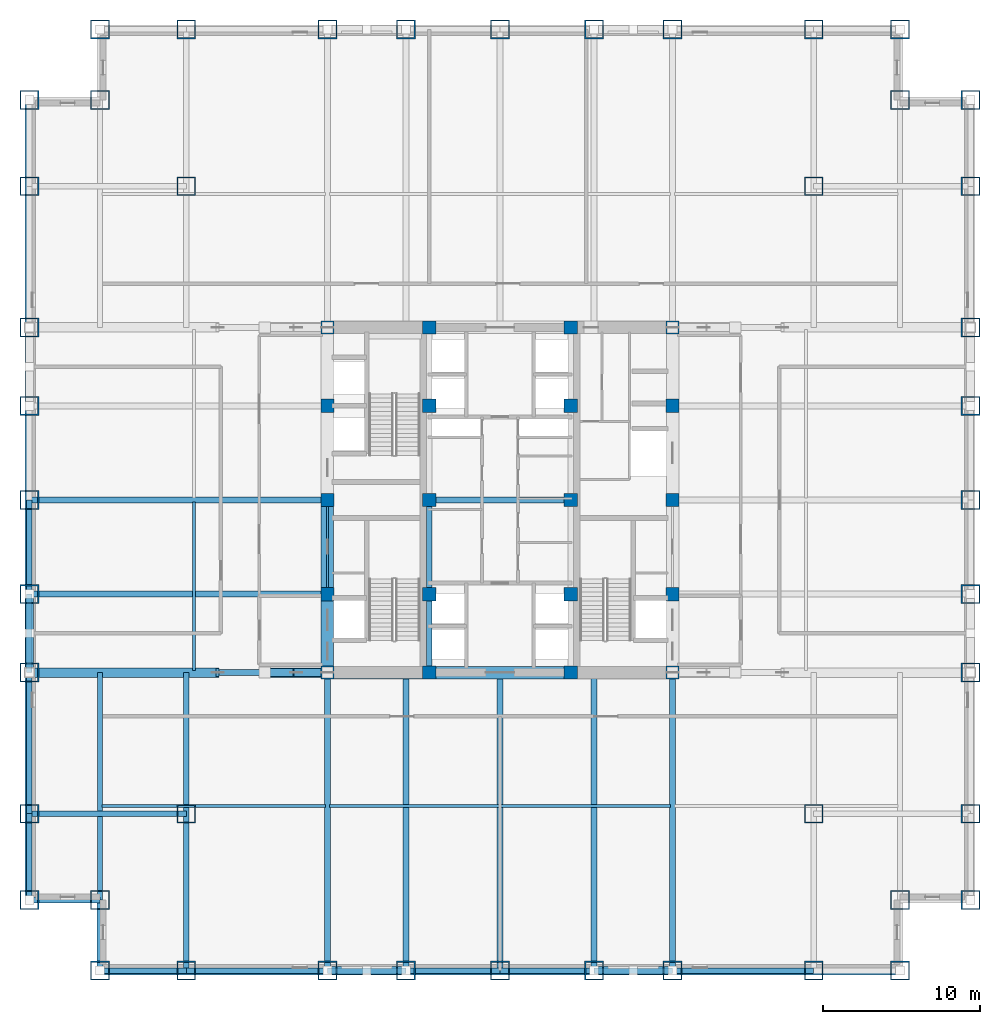
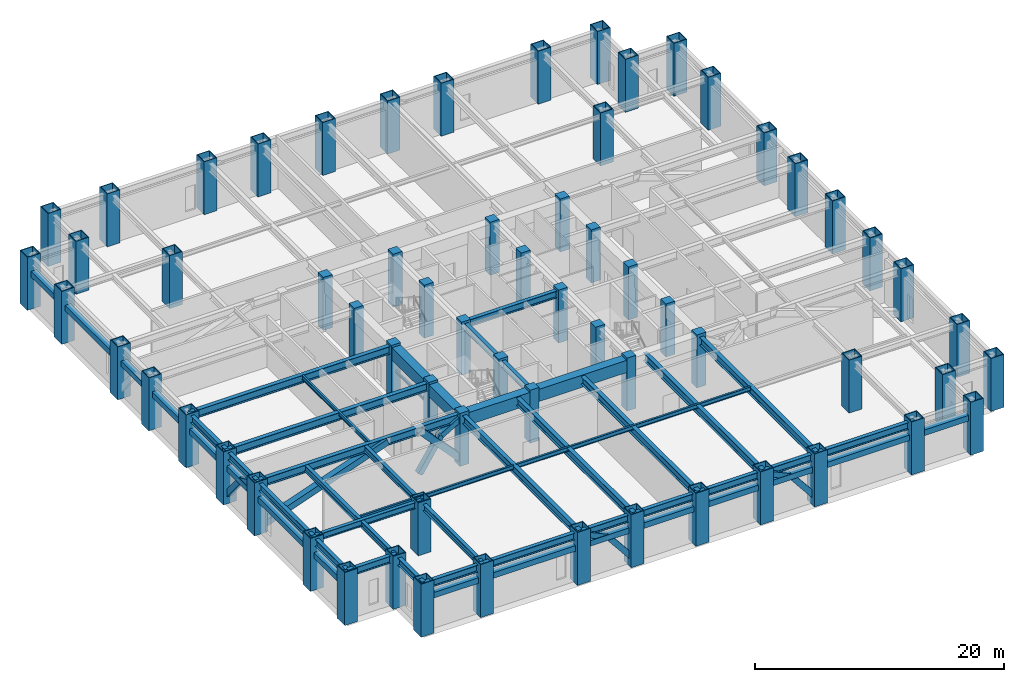
# One storey, part 1 of 12: 64 columns, 35 beams, 12 members.
"""IFC4 building model written with IfcOpenShell, lengths in metres."""

from ifc_helpers import new_model, si_unit, direction, frame, origin, origin_2d, place, context, subcontext, project, spatial, rectangle, hollow_rectangle, i_section, extrude, source, transform, mapped, material, material_profile, profile_set, type_object, element, save


model = new_model("IFC4")

# Units and contexts
model_context = context("Model", 3, precision=1e-05, world=origin(), true_north=direction((0.0, 1.0)))
body_context = subcontext(model_context, "Body", "Model", "MODEL_VIEW")
ifc_project = project(units=[si_unit("LENGTHUNIT", "METRE"), si_unit("AREAUNIT", "SQUARE_METRE"), si_unit("VOLUMEUNIT", "CUBIC_METRE"), si_unit("PLANEANGLEUNIT", "RADIAN"), si_unit("MASSUNIT", "GRAM", prefix="KILO")], contexts=[model_context])

# Site, building, storey
site_placement = place(None, origin())
site = spatial("IfcSite", under=ifc_project, at=site_placement, CompositionType="ELEMENT")
building_placement = place(site_placement, origin())
building = spatial("IfcBuilding", under=site, at=building_placement, Name="Khorayat Bourse Tower", CompositionType="ELEMENT")
storey_placement = place(building_placement, frame((0.0, 0.0, 149.89990234375)))
storey = spatial("IfcBuildingStorey", under=building, at=storey_placement, Name="L34", CompositionType="ELEMENT", Elevation=149.89990234375)

# Columns
ifc_material_1 = material(Name="Steel EN 10025-4 S460M", Category="steel")
ifc_material_profile_1 = material_profile(ifc_material_1, hollow_rectangle(XDim=1.199951171875, YDim=1.199951171875, WallThickness=0.070068359375, at=origin_2d()), Name="BOX 1200x1200x70")
ifc_profile_set_1 = profile_set([ifc_material_profile_1], Name="Steel EN 10025-4 S460M")
column_type_1 = type_object("IfcColumnType", Name="COL-TUBE-1200", PredefinedType="COLUMN", material=ifc_profile_set_1)
shared_shape_1 = source(origin(), body_context, "Body", "SweptSolid", [
    extrude(hollow_rectangle(XDim=1.199951171875, YDim=1.199951171875, WallThickness=0.070068359375, at=origin_2d()), origin(), (0.0, 0.0, 1.0), 5.2001953125),
])
for number, where, z_axis, x_axis, name in (
    (1, (-30.0, -25.5, 0.0), (0.0, 0.0, 1.0), (1.0, 0.0, 0.0), "L34 Column 001"),
    (2, (-30.0, -20.0, 0.0), (0.0, 0.0, 1.0), (1.0, 0.0, 0.0), "L34 Column 002"),
    (3, (-30.0, -11.0, 0.0), (0.0, 0.0, 1.0), (1.0, 0.0, 0.0), "L34 Column 003"),
    (4, (-30.0, -6.0, 0.0), (0.0, 0.0, 1.0), (1.0, 0.0, 0.0), "L34 Column 004"),
    (5, (-30.0, 0.0, 0.0), (0.0, 0.0, 1.0), (1.0, 0.0, 0.0), "L34 Column 005"),
    (6, (-30.0, 6.0, 0.0), (0.0, 0.0, 1.0), (1.0, 0.0, 0.0), "L34 Column 006"),
    (7, (-30.0, 11.0, 0.0), (0.0, 0.0, 1.0), (1.0, 0.0, 0.0), "L34 Column 007"),
    (8, (-30.0, 20.0, 0.0), (0.0, 0.0, 1.0), (1.0, 0.0, 0.0), "L34 Column 008"),
    (9, (-30.0, 25.5, 0.0), (0.0, 0.0, 1.0), (1.0, 0.0, 0.0), "L34 Column 009"),
    (10, (-25.5, -30.0, 0.0), (0.0, 0.0, 1.0), (1.0, 0.0, 0.0), "L34 Column 010"),
    (11, (-25.5, -25.5, 0.0), (0.0, 0.0, 1.0), (1.0, 0.0, 0.0), "L34 Column 011"),
    (12, (-25.5, 25.5, 0.0), (0.0, 0.0, 1.0), (1.0, 0.0, 0.0), "L34 Column 012"),
    (13, (-25.5, 30.0, 0.0), (0.0, 0.0, 1.0), (1.0, 0.0, 0.0), "L34 Column 013"),
    (14, (-20.0, -30.0, 0.0), (0.0, 0.0, 1.0), (1.0, 0.0, 0.0), "L34 Column 014"),
    (15, (-20.0, -20.0, 0.0), (0.0, 0.0, 1.0), (1.0, 0.0, 0.0), "L34 Column 015"),
    (16, (-20.0, 20.0, 0.0), (0.0, 0.0, 1.0), (1.0, 0.0, 0.0), "L34 Column 016"),
    (17, (-20.0, 30.0, 0.0), (0.0, 0.0, 1.0), (1.0, 0.0, 0.0), "L34 Column 017"),
    (18, (-11.0, -30.0, 0.0), (0.0, 0.0, 1.0), (1.0, 0.0, 0.0), "L34 Column 018"),
    (19, (-11.0, 30.0, 0.0), (0.0, 0.0, 1.0), (1.0, 0.0, 0.0), "L34 Column 024"),
    (20, (-6.0, -30.0, 0.0), (0.0, 0.0, 1.0), (1.0, 0.0, 0.0), "L34 Column 025"),
    (21, (-6.0, 30.0, 0.0), (0.0, 0.0, 1.0), (1.0, 0.0, 0.0), "L34 Column 026"),
    (22, (0.0, -30.0, 0.0), (0.0, 0.0, 1.0), (1.0, 0.0, 0.0), "L34 Column 032"),
    (23, (0.0, 30.0, 0.0), (0.0, 0.0, 1.0), (1.0, 0.0, 0.0), "L34 Column 033"),
    (24, (6.0, -30.0, 0.0), (0.0, 0.0, 1.0), (1.0, 0.0, 0.0), "L34 Column 039"),
    (25, (6.0, 30.0, 0.0), (0.0, 0.0, 1.0), (1.0, 0.0, 0.0), "L34 Column 040"),
    (26, (11.0, -30.0, 0.0), (0.0, 0.0, 1.0), (1.0, 0.0, 0.0), "L34 Column 041"),
    (27, (11.0, 30.0, 0.0), (0.0, 0.0, 1.0), (1.0, 0.0, 0.0), "L34 Column 047"),
    (28, (20.0, -30.0, 0.0), (0.0, 0.0, 1.0), (1.0, 0.0, 0.0), "L34 Column 048"),
    (29, (20.0, -20.0, 0.0), (0.0, 0.0, 1.0), (1.0, 0.0, 0.0), "L34 Column 049"),
    (30, (20.0, 20.0, 0.0), (0.0, 0.0, 1.0), (1.0, 0.0, 0.0), "L34 Column 050"),
    (31, (20.0, 30.0, 0.0), (0.0, 0.0, 1.0), (1.0, 0.0, 0.0), "L34 Column 051"),
    (32, (25.5, -30.0, 0.0), (0.0, 0.0, 1.0), (1.0, 0.0, 0.0), "L34 Column 052"),
    (33, (25.5, -25.5, 0.0), (0.0, 0.0, 1.0), (1.0, 0.0, 0.0), "L34 Column 053"),
    (34, (25.5, 25.5, 0.0), (0.0, 0.0, 1.0), (1.0, 0.0, 0.0), "L34 Column 054"),
    (35, (25.5, 30.0, 0.0), (0.0, 0.0, 1.0), (1.0, 0.0, 0.0), "L34 Column 055"),
    (36, (30.0, -25.5, 0.0), (0.0, 0.0, 1.0), (1.0, 0.0, 0.0), "L34 Column 056"),
    (37, (30.0, -20.0, 0.0), (0.0, 0.0, 1.0), (1.0, 0.0, 0.0), "L34 Column 057"),
    (38, (30.0, -11.0, 0.0), (0.0, 0.0, 1.0), (1.0, 0.0, 0.0), "L34 Column 058"),
    (39, (30.0, -6.0, 0.0), (0.0, 0.0, 1.0), (1.0, 0.0, 0.0), "L34 Column 059"),
    (40, (30.0, 0.0, 0.0), (0.0, 0.0, 1.0), (1.0, 0.0, 0.0), "L34 Column 060"),
    (41, (30.0, 6.0, 0.0), (0.0, 0.0, 1.0), (1.0, 0.0, 0.0), "L34 Column 061"),
    (42, (30.0, 11.0, 0.0), (0.0, 0.0, 1.0), (1.0, 0.0, 0.0), "L34 Column 062"),
    (43, (30.0, 20.0, 0.0), (0.0, 0.0, 1.0), (1.0, 0.0, 0.0), "L34 Column 063"),
    (44, (30.0, 25.5, 0.0), (0.0, 0.0, 1.0), (1.0, 0.0, 0.0), "L34 Column 064"),
):
    element("IfcColumn", number, at=place(storey_placement, frame(where, z_axis=z_axis, x_axis=x_axis)), inside=storey, type_object=column_type_1, Name=name, PredefinedType="COLUMN", context=body_context, shape_type="MappedRepresentation", body=[
        mapped(shared_shape_1, transform((0.0, 0.0, 0.0), scale=1.0)),
    ])
ifc_material_2 = material(Name="Concrete C60/75", Category="concrete")
ifc_material_profile_2 = material_profile(ifc_material_2, rectangle(XDim=0.85009765625, YDim=0.85009765625, at=origin_2d()), Name="RC 850x850")
ifc_profile_set_2 = profile_set([ifc_material_profile_2], Name="Concrete C60/75")
column_type_2 = type_object("IfcColumnType", Name="COL-CORE-850", PredefinedType="COLUMN", material=ifc_profile_set_2)
shared_shape_2 = source(origin(), body_context, "Body", "SweptSolid", [
    extrude(rectangle(XDim=0.85009765625, YDim=0.85009765625, at=origin_2d()), origin(), (0.0, 0.0, 1.0), 5.2001953125),
])
for number, where, z_axis, x_axis, name in (
    (45, (-11.0, -11.0, 0.0), (0.0, 0.0, 1.0), (1.0, 0.0, 0.0), "L34 Column 019"),
    (46, (-11.0, -6.0, 0.0), (0.0, 0.0, 1.0), (1.0, 0.0, 0.0), "L34 Column 020"),
    (47, (-11.0, 0.0, 0.0), (0.0, 0.0, 1.0), (1.0, 0.0, 0.0), "L34 Column 021"),
    (48, (-11.0, 6.0, 0.0), (0.0, 0.0, 1.0), (1.0, 0.0, 0.0), "L34 Column 022"),
    (49, (-11.0, 11.0, 0.0), (0.0, 0.0, 1.0), (1.0, 0.0, 0.0), "L34 Column 023"),
    (50, (-4.5, -11.0, 0.0), (0.0, 0.0, 1.0), (1.0, 0.0, 0.0), "L34 Column 027"),
    (51, (-4.5, -6.0, 0.0), (0.0, 0.0, 1.0), (1.0, 0.0, 0.0), "L34 Column 028"),
    (52, (-4.5, 0.0, 0.0), (0.0, 0.0, 1.0), (1.0, 0.0, 0.0), "L34 Column 029"),
    (53, (-4.5, 6.0, 0.0), (0.0, 0.0, 1.0), (1.0, 0.0, 0.0), "L34 Column 030"),
    (54, (-4.5, 11.0, 0.0), (0.0, 0.0, 1.0), (1.0, 0.0, 0.0), "L34 Column 031"),
    (55, (4.5, -11.0, 0.0), (0.0, 0.0, 1.0), (1.0, 0.0, 0.0), "L34 Column 034"),
    (56, (4.5, -6.0, 0.0), (0.0, 0.0, 1.0), (1.0, 0.0, 0.0), "L34 Column 035"),
    (57, (4.5, 0.0, 0.0), (0.0, 0.0, 1.0), (1.0, 0.0, 0.0), "L34 Column 036"),
    (58, (4.5, 6.0, 0.0), (0.0, 0.0, 1.0), (1.0, 0.0, 0.0), "L34 Column 037"),
    (59, (4.5, 11.0, 0.0), (0.0, 0.0, 1.0), (1.0, 0.0, 0.0), "L34 Column 038"),
    (60, (11.0, -11.0, 0.0), (0.0, 0.0, 1.0), (1.0, 0.0, 0.0), "L34 Column 042"),
    (61, (11.0, -6.0, 0.0), (0.0, 0.0, 1.0), (1.0, 0.0, 0.0), "L34 Column 043"),
    (62, (11.0, 0.0, 0.0), (0.0, 0.0, 1.0), (1.0, 0.0, 0.0), "L34 Column 044"),
    (63, (11.0, 6.0, 0.0), (0.0, 0.0, 1.0), (1.0, 0.0, 0.0), "L34 Column 045"),
    (64, (11.0, 11.0, 0.0), (0.0, 0.0, 1.0), (1.0, 0.0, 0.0), "L34 Column 046"),
):
    element("IfcColumn", number, at=place(storey_placement, frame(where, z_axis=z_axis, x_axis=x_axis)), inside=storey, type_object=column_type_2, Name=name, PredefinedType="COLUMN", context=body_context, shape_type="MappedRepresentation", body=[
        mapped(shared_shape_2, transform((0.0, 0.0, 0.0), scale=1.0)),
    ])

# Beams
ifc_material_3 = material(Name="Concrete C72/90", Category="concrete")
ifc_material_profile_3 = material_profile(ifc_material_3, rectangle(XDim=0.800048828125, YDim=1.199951171875, at=origin_2d()), Name="RC 800x1200")
ifc_profile_set_3 = profile_set([ifc_material_profile_3], Name="Concrete C72/90")
beam_type_1 = type_object("IfcBeamType", Name="BM-COUP-1200", PredefinedType="BEAM", material=ifc_profile_set_3)
shared_shape_3 = source(origin(), body_context, "Body", "SweptSolid", [
    extrude(rectangle(XDim=0.800048828125, YDim=1.199951171875, at=origin_2d()), origin(), (0.0, 0.0, 1.0), 5.0),
])
beam_1_placement = place(storey_placement, frame((-11.0, -11.0, 4.380126953125), z_axis=(0.0, 1.0, 0.0), x_axis=(-1.0, 0.0, 0.0)))
element("IfcBeam", 65, at=beam_1_placement, inside=storey, type_object=beam_type_1, Name="L34 BM-COUP-1200 BM-L34-CRX-01", PredefinedType="BEAM", context=body_context, shape_type="MappedRepresentation", body=[
    mapped(shared_shape_3, transform((0.0, 0.0, 0.0), scale=1.0)),
])
shared_shape_4 = source(origin(), body_context, "Body", "SweptSolid", [
    extrude(rectangle(XDim=0.800048828125, YDim=1.199951171875, at=origin_2d()), origin(), (0.0, 0.0, 1.0), 6.0),
])
beam_2_placement = place(storey_placement, frame((-11.0, -6.0, 4.380126953125), z_axis=(0.0, 1.0, 0.0), x_axis=(-1.0, 0.0, 0.0)))
element("IfcBeam", 66, at=beam_2_placement, inside=storey, type_object=beam_type_1, Name="L34 BM-COUP-1200 BM-L34-CRX-02", PredefinedType="BEAM", context=body_context, shape_type="MappedRepresentation", body=[
    mapped(shared_shape_4, transform((0.0, 0.0, 0.0), scale=1.0)),
])
ifc_material_4 = material(Name="Steel ASTM A992 Grade 50", Category="steel")
ifc_material_profile_4 = material_profile(ifc_material_4, i_section(OverallWidth=0.35498046875, OverallDepth=0.695068359375, WebThickness=0.015380859375, FlangeThickness=0.02490234375, FilletRadius=0.01806640625, at=origin_2d()), Name="W690X217")
ifc_profile_set_4 = profile_set([ifc_material_profile_4], Name="Steel ASTM A992 Grade 50")
beam_type_2 = type_object("IfcBeamType", Name="BM-GIRD-690", PredefinedType="BEAM", material=ifc_profile_set_4)
shared_shape_5 = source(origin(), body_context, "Body", "SweptSolid", [
    extrude(i_section(OverallWidth=0.35498046875, OverallDepth=0.695068359375, WebThickness=0.015380859375, FlangeThickness=0.02490234375, FilletRadius=0.01806640625, at=origin_2d()), origin(), (0.0, 0.0, 1.0), 5.0),
])
beam_3_placement = place(storey_placement, frame((-4.5, -11.0, 4.632568359375), z_axis=(0.0, 1.0, 0.0), x_axis=(-1.0, 0.0, 0.0)))
element("IfcBeam", 67, at=beam_3_placement, inside=storey, type_object=beam_type_2, Name="L34 BM-GIRD-690 BM-L34-CRX-05", PredefinedType="BEAM", context=body_context, shape_type="MappedRepresentation", body=[
    mapped(shared_shape_5, transform((0.0, 0.0, 0.0), scale=1.0)),
])
shared_shape_6 = source(origin(), body_context, "Body", "SweptSolid", [
    extrude(i_section(OverallWidth=0.35498046875, OverallDepth=0.695068359375, WebThickness=0.015380859375, FlangeThickness=0.02490234375, FilletRadius=0.01806640625, at=origin_2d()), origin(), (0.0, 0.0, 1.0), 6.0),
])
beam_4_placement = place(storey_placement, frame((-4.5, -6.0, 4.632568359375), z_axis=(0.0, 1.0, 0.0), x_axis=(-1.0, 0.0, 0.0)))
element("IfcBeam", 68, at=beam_4_placement, inside=storey, type_object=beam_type_2, Name="L34 BM-GIRD-690 BM-L34-CRX-06", PredefinedType="BEAM", context=body_context, shape_type="MappedRepresentation", body=[
    mapped(shared_shape_6, transform((0.0, 0.0, 0.0), scale=1.0)),
])
shared_shape_7 = source(origin(), body_context, "Body", "SweptSolid", [
    extrude(rectangle(XDim=0.800048828125, YDim=1.199951171875, at=origin_2d()), origin(), (0.0, 0.0, 1.0), 6.5),
])
beam_5_placement = place(storey_placement, frame((-11.0, -11.0, 4.380126953125), z_axis=(1.0, 0.0, 0.0), x_axis=(0.0, 1.0, 0.0)))
element("IfcBeam", 69, at=beam_5_placement, inside=storey, type_object=beam_type_1, Name="L34 BM-COUP-1200 BM-L34-CRY-17", PredefinedType="BEAM", context=body_context, shape_type="MappedRepresentation", body=[
    mapped(shared_shape_7, transform((0.0, 0.0, 0.0), scale=1.0)),
])
shared_shape_8 = source(origin(), body_context, "Body", "SweptSolid", [
    extrude(rectangle(XDim=0.800048828125, YDim=1.199951171875, at=origin_2d()), origin(), (0.0, 0.0, 1.0), 9.0),
])
beam_6_placement = place(storey_placement, frame((-4.5, -11.0, 4.380126953125), z_axis=(1.0, 0.0, 0.0), x_axis=(0.0, 1.0, 0.0)))
element("IfcBeam", 70, at=beam_6_placement, inside=storey, type_object=beam_type_1, Name="L34 BM-COUP-1200 BM-L34-CRY-18", PredefinedType="BEAM", context=body_context, shape_type="MappedRepresentation", body=[
    mapped(shared_shape_8, transform((0.0, 0.0, 0.0), scale=1.0)),
])
shared_shape_9 = source(origin(), body_context, "Body", "SweptSolid", [
    extrude(i_section(OverallWidth=0.35498046875, OverallDepth=0.695068359375, WebThickness=0.015380859375, FlangeThickness=0.02490234375, FilletRadius=0.01806640625, at=origin_2d()), origin(), (0.0, 0.0, 1.0), 9.0),
])
beam_7_placement = place(storey_placement, frame((-4.5, 0.0, 4.632568359375), z_axis=(1.0, 0.0, 0.0), x_axis=(0.0, 1.0, 0.0)))
element("IfcBeam", 71, at=beam_7_placement, inside=storey, type_object=beam_type_2, Name="L34 BM-GIRD-690 BM-L34-CRY-23", PredefinedType="BEAM", context=body_context, shape_type="MappedRepresentation", body=[
    mapped(shared_shape_9, transform((0.0, 0.0, 0.0), scale=1.0)),
])
ifc_material_profile_5 = material_profile(ifc_material_4, i_section(OverallWidth=0.35498046875, OverallDepth=0.695068359375, WebThickness=0.015380859375, FlangeThickness=0.02490234375, FilletRadius=0.01806640625, at=origin_2d()), Name="W690X217")
ifc_profile_set_5 = profile_set([ifc_material_profile_5], Name="Steel ASTM A992 Grade 50")
beam_type_3 = type_object("IfcBeamType", Name="BM-SPAN-690", PredefinedType="SPANDREL", material=ifc_profile_set_5)
shared_shape_10 = source(origin(), body_context, "Body", "SweptSolid", [
    extrude(i_section(OverallWidth=0.35498046875, OverallDepth=0.695068359375, WebThickness=0.015380859375, FlangeThickness=0.02490234375, FilletRadius=0.01806640625, at=origin_2d()), origin(), (0.0, 0.0, 1.0), 9.0),
])
for number, where, z_axis, x_axis, name in (
    (72, (-20.0, -30.0, 4.552490234375), (1.0, 0.0, 0.0), (0.0, 1.0, 0.0), "L34 BM-SPAN-690 BM-L34-SPN-025"),
    (73, (11.0, -30.0, 4.552490234375), (1.0, 0.0, 0.0), (0.0, 1.0, 0.0), "L34 BM-SPAN-690 BM-L34-SPN-030"),
    (74, (-30.0, -20.0, 4.632568359375), (0.0, 1.0, 0.0), (-1.0, 0.0, 0.0), "L34 BM-SPAN-690 BM-L34-SPN-060"),
):
    element("IfcBeam", number, at=place(storey_placement, frame(where, z_axis=z_axis, x_axis=x_axis)), inside=storey, type_object=beam_type_3, Name=name, PredefinedType="SPANDREL", context=body_context, shape_type="MappedRepresentation", body=[
        mapped(shared_shape_10, transform((0.0, 0.0, 0.0), scale=1.0)),
    ])
shared_shape_11 = source(origin(), body_context, "Body", "SweptSolid", [
    extrude(i_section(OverallWidth=0.35498046875, OverallDepth=0.695068359375, WebThickness=0.015380859375, FlangeThickness=0.02490234375, FilletRadius=0.01806640625, at=origin_2d()), origin(), (0.0, 0.0, 1.0), 5.0),
])
for number, where, z_axis, x_axis, name in (
    (75, (-11.0, -30.0, 4.552490234375), (1.0, 0.0, 0.0), (0.0, 1.0, 0.0), "L34 BM-SPAN-690 BM-L34-SPN-026"),
    (76, (6.0, -30.0, 4.552490234375), (1.0, 0.0, 0.0), (0.0, 1.0, 0.0), "L34 BM-SPAN-690 BM-L34-SPN-029"),
    (77, (-30.0, -11.0, 4.632568359375), (0.0, 1.0, 0.0), (-1.0, 0.0, 0.0), "L34 BM-SPAN-690 BM-L34-SPN-059"),
):
    element("IfcBeam", number, at=place(storey_placement, frame(where, z_axis=z_axis, x_axis=x_axis)), inside=storey, type_object=beam_type_3, Name=name, PredefinedType="SPANDREL", context=body_context, shape_type="MappedRepresentation", body=[
        mapped(shared_shape_11, transform((0.0, 0.0, 0.0), scale=1.0)),
    ])
shared_shape_12 = source(origin(), body_context, "Body", "SweptSolid", [
    extrude(i_section(OverallWidth=0.35498046875, OverallDepth=0.695068359375, WebThickness=0.015380859375, FlangeThickness=0.02490234375, FilletRadius=0.01806640625, at=origin_2d()), origin(), (0.0, 0.0, 1.0), 6.0),
])
for number, where, z_axis, x_axis, name in (
    (78, (-6.0, -30.0, 4.552490234375), (1.0, 0.0, 0.0), (0.0, 1.0, 0.0), "L34 BM-SPAN-690 BM-L34-SPN-027"),
    (79, (0.0, -30.0, 4.552490234375), (1.0, 0.0, 0.0), (0.0, 1.0, 0.0), "L34 BM-SPAN-690 BM-L34-SPN-028"),
    (80, (-30.0, -6.0, 4.632568359375), (0.0, 1.0, 0.0), (-1.0, 0.0, 0.0), "L34 BM-SPAN-690 BM-L34-SPN-058"),
):
    element("IfcBeam", number, at=place(storey_placement, frame(where, z_axis=z_axis, x_axis=x_axis)), inside=storey, type_object=beam_type_3, Name=name, PredefinedType="SPANDREL", context=body_context, shape_type="MappedRepresentation", body=[
        mapped(shared_shape_12, transform((0.0, 0.0, 0.0), scale=1.0)),
    ])
ifc_material_profile_6 = material_profile(ifc_material_4, i_section(OverallWidth=0.14697265625, OverallDepth=0.261962890625, WebThickness=0.006591796875, FlangeThickness=0.01123046875, FilletRadius=0.008056640625, at=origin_2d()), Name="W250X39")
ifc_profile_set_6 = profile_set([ifc_material_profile_6], Name="Steel ASTM A992 Grade 50")
beam_type_4 = type_object("IfcBeamType", Name="BM-LINTEL-250", PredefinedType="LINTEL", material=ifc_profile_set_6)
shared_shape_13 = source(origin(), body_context, "Body", "SweptSolid", [
    extrude(i_section(OverallWidth=0.14697265625, OverallDepth=0.261962890625, WebThickness=0.006591796875, FlangeThickness=0.01123046875, FilletRadius=0.008056640625, at=origin_2d()), origin(), (0.0, 0.0, 1.0), 6.0),
])
beam_8_placement = place(storey_placement, frame((-11.0, -6.0, 2.550048828125), z_axis=(0.0, 1.0, 0.0), x_axis=(-1.0, 0.0, 0.0)))
element("IfcBeam", 81, at=beam_8_placement, inside=storey, type_object=beam_type_4, Name="L34 Core Opening Lintel 01", PredefinedType="LINTEL", context=body_context, shape_type="MappedRepresentation", body=[
    mapped(shared_shape_13, transform((0.0, 0.0, 0.0), scale=1.0)),
])
shared_shape_14 = source(origin(), body_context, "Body", "SweptSolid", [
    extrude(i_section(OverallWidth=0.35498046875, OverallDepth=0.695068359375, WebThickness=0.015380859375, FlangeThickness=0.02490234375, FilletRadius=0.01806640625, at=origin_2d()), origin(), (0.0, 0.0, 1.0), 5.5),
])
for number, where, z_axis, x_axis, name in (
    (82, (-25.5, -30.0, 4.552490234375), (1.0, 0.0, 0.0), (0.0, 1.0, 0.0), "L34 BM-SPAN-690 BM-L34-SPN-024"),
    (83, (-30.0, -25.5, 4.632568359375), (0.0, 1.0, 0.0), (-1.0, 0.0, 0.0), "L34 BM-SPAN-690 BM-L34-SPN-061"),
):
    element("IfcBeam", number, at=place(storey_placement, frame(where, z_axis=z_axis, x_axis=x_axis)), inside=storey, type_object=beam_type_3, Name=name, PredefinedType="SPANDREL", context=body_context, shape_type="MappedRepresentation", body=[
        mapped(shared_shape_14, transform((0.0, 0.0, 0.0), scale=1.0)),
    ])
shared_shape_15 = source(origin(), body_context, "Body", "SweptSolid", [
    extrude(i_section(OverallWidth=0.35498046875, OverallDepth=0.695068359375, WebThickness=0.015380859375, FlangeThickness=0.02490234375, FilletRadius=0.01806640625, at=origin_2d()), origin(), (0.0, 0.0, 1.0), 4.5),
])
for number, where, z_axis, x_axis, name in (
    (84, (-30.0, -25.5, 4.632568359375), (1.0, 0.0, 0.0), (0.0, 1.0, 0.0), "L34 BM-SPAN-690 BM-L34-SPN-062"),
    (85, (-25.5, -30.0, 4.552490234375), (0.0, 1.0, 0.0), (-1.0, 0.0, 0.0), "L34 BM-SPAN-690 BM-L34-SPN-063"),
):
    element("IfcBeam", number, at=place(storey_placement, frame(where, z_axis=z_axis, x_axis=x_axis)), inside=storey, type_object=beam_type_3, Name=name, PredefinedType="SPANDREL", context=body_context, shape_type="MappedRepresentation", body=[
        mapped(shared_shape_15, transform((0.0, 0.0, 0.0), scale=1.0)),
    ])
ifc_material_profile_7 = material_profile(ifc_material_4, i_section(OverallWidth=0.381103515625, OverallDepth=0.77294921875, WebThickness=0.0166015625, FlangeThickness=0.027587890625, FilletRadius=0.01806640625, at=origin_2d()), Name="W760X257")
ifc_profile_set_7 = profile_set([ifc_material_profile_7], Name="Steel ASTM A992 Grade 50")
beam_type_5 = type_object("IfcBeamType", Name="BM-GIRD-760", PredefinedType="BEAM", material=ifc_profile_set_7)
shared_shape_16 = source(origin(), body_context, "Body", "SweptSolid", [
    extrude(i_section(OverallWidth=0.381103515625, OverallDepth=0.77294921875, WebThickness=0.0166015625, FlangeThickness=0.027587890625, FilletRadius=0.01806640625, at=origin_2d()), origin(), (0.0, 0.0, 1.0), 19.0),
])
for number, where, z_axis, x_axis, name in (
    (86, (-11.0, -30.0, 4.513671875), (0.0, 1.0, 0.0), (-1.0, 0.0, 0.0), "L34 BM-GIRD-760 BM-L34-RADY-065"),
    (87, (-6.0, -30.0, 4.513671875), (0.0, 1.0, 0.0), (-1.0, 0.0, 0.0), "L34 BM-GIRD-760 BM-L34-RADY-067"),
    (88, (0.0, -30.0, 4.513671875), (0.0, 1.0, 0.0), (-1.0, 0.0, 0.0), "L34 BM-GIRD-760 BM-L34-RADY-069"),
    (89, (6.0, -30.0, 4.513671875), (0.0, 1.0, 0.0), (-1.0, 0.0, 0.0), "L34 BM-GIRD-760 BM-L34-RADY-071"),
    (90, (11.0, -30.0, 4.513671875), (0.0, 1.0, 0.0), (-1.0, 0.0, 0.0), "L34 BM-GIRD-760 BM-L34-RADY-073"),
    (91, (-30.0, -11.0, 4.593505859375), (1.0, 0.0, 0.0), (0.0, 1.0, 0.0), "L34 BM-GIRD-760 BM-L34-RADX-075"),
    (92, (-30.0, -6.0, 4.593505859375), (1.0, 0.0, 0.0), (0.0, 1.0, 0.0), "L34 BM-GIRD-760 BM-L34-RADX-077"),
    (93, (-30.0, 0.0, 4.593505859375), (1.0, 0.0, 0.0), (0.0, 1.0, 0.0), "L34 BM-GIRD-760 BM-L34-RADX-079"),
):
    element("IfcBeam", number, at=place(storey_placement, frame(where, z_axis=z_axis, x_axis=x_axis)), inside=storey, type_object=beam_type_5, Name=name, PredefinedType="BEAM", context=body_context, shape_type="MappedRepresentation", body=[
        mapped(shared_shape_16, transform((0.0, 0.0, 0.0), scale=1.0)),
    ])
ifc_material_profile_8 = material_profile(ifc_material_4, i_section(OverallWidth=0.324951171875, OverallDepth=0.615966796875, WebThickness=0.013916015625, FlangeThickness=0.021484375, FilletRadius=0.01611328125, at=origin_2d()), Name="W610X174")
ifc_profile_set_8 = profile_set([ifc_material_profile_8], Name="Steel ASTM A992 Grade 50")
beam_type_6 = type_object("IfcBeamType", Name="BM-GIRD-610", PredefinedType="BEAM", material=ifc_profile_set_8)
shared_shape_17 = source(origin(), body_context, "Body", "SweptSolid", [
    extrude(i_section(OverallWidth=0.324951171875, OverallDepth=0.615966796875, WebThickness=0.013916015625, FlangeThickness=0.021484375, FilletRadius=0.01611328125, at=origin_2d()), origin(), (0.0, 0.0, 1.0), 19.0),
])
beam_9_placement = place(storey_placement, frame((-20.0, -30.0, 4.592041015625), z_axis=(0.0, 1.0, 0.0), x_axis=(-1.0, 0.0, 0.0)))
element("IfcBeam", 94, at=beam_9_placement, inside=storey, type_object=beam_type_6, Name="L34 BM-GIRD-610 BM-L34-CNRY-084", PredefinedType="BEAM", context=body_context, shape_type="MappedRepresentation", body=[
    mapped(shared_shape_17, transform((0.0, 0.0, 0.0), scale=1.0)),
])
shared_shape_18 = source(origin(), body_context, "Body", "SweptSolid", [
    extrude(i_section(OverallWidth=0.324951171875, OverallDepth=0.615966796875, WebThickness=0.013916015625, FlangeThickness=0.021484375, FilletRadius=0.01611328125, at=origin_2d()), origin(), (0.0, 0.0, 1.0), 14.5),
])
beam_10_placement = place(storey_placement, frame((-25.5, -25.5, 4.592041015625), z_axis=(0.0, 1.0, 0.0), x_axis=(-1.0, 0.0, 0.0)))
element("IfcBeam", 95, at=beam_10_placement, inside=storey, type_object=beam_type_6, Name="L34 BM-GIRD-610 BM-L34-CNRY-088", PredefinedType="BEAM", context=body_context, shape_type="MappedRepresentation", body=[
    mapped(shared_shape_18, transform((0.0, 0.0, 0.0), scale=1.0)),
])
shared_shape_19 = source(origin(), body_context, "Body", "SweptSolid", [
    extrude(i_section(OverallWidth=0.324951171875, OverallDepth=0.615966796875, WebThickness=0.013916015625, FlangeThickness=0.021484375, FilletRadius=0.01611328125, at=origin_2d()), origin(), (0.0, 0.0, 1.0), 10.0),
])
beam_11_placement = place(storey_placement, frame((-30.0, -20.0, 4.672119140625), z_axis=(1.0, 0.0, 0.0), x_axis=(0.0, 1.0, 0.0)))
element("IfcBeam", 96, at=beam_11_placement, inside=storey, type_object=beam_type_6, Name="L34 BM-GIRD-610 BM-L34-CNRX-093", PredefinedType="BEAM", context=body_context, shape_type="MappedRepresentation", body=[
    mapped(shared_shape_19, transform((0.0, 0.0, 0.0), scale=1.0)),
])
ifc_material_profile_9 = material_profile(ifc_material_4, i_section(OverallWidth=0.180908203125, OverallDepth=0.4169921875, WebThickness=0.010986328125, FlangeThickness=0.018310546875, FilletRadius=0.011962890625, at=origin_2d()), Name="W410X85")
ifc_profile_set_9 = profile_set([ifc_material_profile_9], Name="Steel ASTM A992 Grade 50")
beam_type_7 = type_object("IfcBeamType", Name="BM-JOIST-410", PredefinedType="JOIST", material=ifc_profile_set_9)
shared_shape_20 = source(origin(), body_context, "Body", "SweptSolid", [
    extrude(i_section(OverallWidth=0.180908203125, OverallDepth=0.4169921875, WebThickness=0.010986328125, FlangeThickness=0.018310546875, FilletRadius=0.011962890625, at=origin_2d()), origin(), (0.0, 0.0, 1.0), 14.240234375),
])
beam_12_placement = place(storey_placement, frame((-25.3701171875, -19.5, 4.771484375), z_axis=(1.0, 0.0, 0.0), x_axis=(0.0, 1.0, 0.0)))
element("IfcBeam", 97, at=beam_12_placement, inside=storey, type_object=beam_type_7, Name="L34 BM-JOIST-410 BM-L34-JSTX-096", PredefinedType="JOIST", context=body_context, shape_type="MappedRepresentation", body=[
    mapped(shared_shape_20, transform((0.0, 0.0, 0.0), scale=1.0)),
])
shared_shape_21 = source(origin(), body_context, "Body", "SweptSolid", [
    extrude(i_section(OverallWidth=0.180908203125, OverallDepth=0.4169921875, WebThickness=0.010986328125, FlangeThickness=0.018310546875, FilletRadius=0.011962890625, at=origin_2d()), origin(), (0.0, 0.0, 1.0), 21.740234375),
])
beam_13_placement = place(storey_placement, frame((-10.8701171875, -19.5, 4.771484375), z_axis=(1.0, 0.0, 0.0), x_axis=(0.0, 1.0, 0.0)))
element("IfcBeam", 98, at=beam_13_placement, inside=storey, type_object=beam_type_7, Name="L34 BM-JOIST-410 BM-L34-JSTX-097", PredefinedType="JOIST", context=body_context, shape_type="MappedRepresentation", body=[
    mapped(shared_shape_21, transform((0.0, 0.0, 0.0), scale=1.0)),
])
shared_shape_22 = source(origin(), body_context, "Body", "SweptSolid", [
    extrude(i_section(OverallWidth=0.180908203125, OverallDepth=0.4169921875, WebThickness=0.010986328125, FlangeThickness=0.018310546875, FilletRadius=0.011962890625, at=origin_2d()), origin(), (0.0, 0.0, 1.0), 10.740234375),
])
beam_14_placement = place(storey_placement, frame((-19.5, -10.8701171875, 4.771484375), z_axis=(0.0, 1.0, 0.0), x_axis=(-1.0, 0.0, 0.0)))
element("IfcBeam", 99, at=beam_14_placement, inside=storey, type_object=beam_type_7, Name="L34 BM-JOIST-410 BM-L34-JSTY-102", PredefinedType="JOIST", context=body_context, shape_type="MappedRepresentation", body=[
    mapped(shared_shape_22, transform((0.0, 0.0, 0.0), scale=1.0)),
])

# Members
ifc_material_profile_10 = material_profile(ifc_material_1, hollow_rectangle(XDim=0.5, YDim=0.5, WallThickness=0.028076171875, at=origin_2d()), Name="HSS 500x500x28")
ifc_profile_set_10 = profile_set([ifc_material_profile_10], Name="Steel EN 10025-4 S460M")
member_type_1 = type_object("IfcMemberType", Name="MBR-TUBE-500", PredefinedType="BRACE", material=ifc_profile_set_10)
shared_shape_23 = source(origin(), body_context, "Body", "SweptSolid", [
    extrude(hollow_rectangle(XDim=0.5, YDim=0.5, WallThickness=0.028076171875, at=origin_2d()), origin(), (0.0, 0.0, 1.0), 2.764404296875),
])
for number, where, z_axis, x_axis, name in (
    (100, (-11.0, -30.0, 4.630126953125), (0.904335771864, 0.0, -0.426821756389), (0.0, 1.0, 0.0), "L34 Perimeter Tube Brace 01"),
    (101, (6.0, -30.0, 4.630126953125), (0.904335771864, 0.0, -0.426821756389), (0.0, 1.0, 0.0), "L34 Perimeter Tube Brace 03"),
    (102, (-30.0, -11.0, 4.630126953125), (0.0, 0.904335771864, -0.426821756389), (-1.0, 0.0, 0.0), "L34 Perimeter Tube Brace 09"),
):
    element("IfcMember", number, at=place(storey_placement, frame(where, z_axis=z_axis, x_axis=x_axis)), inside=storey, type_object=member_type_1, Name=name, PredefinedType="BRACE", context=body_context, shape_type="MappedRepresentation", body=[
        mapped(shared_shape_23, transform((0.0, 0.0, 0.0), scale=1.0)),
    ])
shared_shape_24 = source(origin(), body_context, "Body", "SweptSolid", [
    extrude(hollow_rectangle(XDim=0.5, YDim=0.5, WallThickness=0.028076171875, at=origin_2d()), origin(), (0.0, 0.0, 1.0), 3.982421875),
])
for number, where, z_axis, x_axis, name in (
    (103, (-8.5, -30.0, 3.4501953125), (0.627740468857, 0.0, -0.778422702495), (0.0, 1.0, 0.0), "L34 Perimeter Tube Brace 02"),
    (104, (8.5, -30.0, 3.4501953125), (0.627740468857, 0.0, -0.778422702495), (0.0, 1.0, 0.0), "L34 Perimeter Tube Brace 04"),
    (105, (-30.0, -8.5, 3.4501953125), (0.0, 0.627740468857, -0.778422702495), (-1.0, 0.0, 0.0), "L34 Perimeter Tube Brace 10"),
):
    element("IfcMember", number, at=place(storey_placement, frame(where, z_axis=z_axis, x_axis=x_axis)), inside=storey, type_object=member_type_1, Name=name, PredefinedType="BRACE", context=body_context, shape_type="MappedRepresentation", body=[
        mapped(shared_shape_24, transform((0.0, 0.0, 0.0), scale=1.0)),
    ])
ifc_material_profile_11 = material_profile(ifc_material_1, hollow_rectangle(XDim=0.60009765625, YDim=0.60009765625, WallThickness=0.034912109375, at=origin_2d()), Name="BOX 600x600x35")
ifc_profile_set_11 = profile_set([ifc_material_profile_11], Name="Steel EN 10025-4 S460M")
member_type_2 = type_object("IfcMemberType", Name="MBR-OUTRIG-600", PredefinedType="BRACE", material=ifc_profile_set_11)
shared_shape_25 = source(origin(), body_context, "Body", "SweptSolid", [
    extrude(hollow_rectangle(XDim=0.60009765625, YDim=0.60009765625, WallThickness=0.034912109375, at=origin_2d()), origin(), (0.0, 0.0, 1.0), 5.858154296875),
])
member_1_placement = place(storey_placement, frame((-11.0, -11.0, 0.35009765625), z_axis=(-0.682802163589, 0.0, 0.730603316033), x_axis=(0.0, -1.0, 0.0)))
element("IfcMember", 106, at=member_1_placement, inside=storey, type_object=member_type_2, Name="L34 Outrigger Truss Diagonal 01", PredefinedType="BRACE", context=body_context, shape_type="MappedRepresentation", body=[
    mapped(shared_shape_25, transform((0.0, 0.0, 0.0), scale=1.0)),
])
shared_shape_26 = source(origin(), body_context, "Body", "SweptSolid", [
    extrude(hollow_rectangle(XDim=0.60009765625, YDim=0.60009765625, WallThickness=0.034912109375, at=origin_2d()), origin(), (0.0, 0.0, 1.0), 12.740478515625),
])
member_2_placement = place(storey_placement, frame((-18.0, -11.0, 4.630126953125), z_axis=(-0.941883163917, 0.0, -0.335940627983), x_axis=(0.0, -1.0, 0.0)))
element("IfcMember", 107, at=member_2_placement, inside=storey, type_object=member_type_2, Name="L34 Outrigger Truss Diagonal 02", PredefinedType="BRACE", context=body_context, shape_type="MappedRepresentation", body=[
    mapped(shared_shape_26, transform((0.0, 0.0, 0.0), scale=1.0)),
])
ifc_material_profile_12 = material_profile(ifc_material_1, hollow_rectangle(XDim=0.5, YDim=0.5, WallThickness=0.028076171875, at=origin_2d()), Name="HSS 500x500x28")
ifc_profile_set_12 = profile_set([ifc_material_profile_12], Name="Steel EN 10025-4 S460M")
member_type_3 = type_object("IfcMemberType", Name="MBR-TRUSS-500", PredefinedType="CHORD", material=ifc_profile_set_12)
shared_shape_27 = source(origin(), body_context, "Body", "SweptSolid", [
    extrude(hollow_rectangle(XDim=0.5, YDim=0.5, WallThickness=0.028076171875, at=origin_2d()), origin(), (0.0, 0.0, 1.0), 2.322021484375),
])
member_3_placement = place(storey_placement, frame((-11.0, -11.0, 4.630126953125), z_axis=(-0.861282141097, 0.0, -0.508127024893), x_axis=(0.0, -1.0, 0.0)))
element("IfcMember", 108, at=member_3_placement, inside=storey, type_object=member_type_3, Name="L34 Plant Belt Web Diagonal 01", PredefinedType="CHORD", context=body_context, shape_type="MappedRepresentation", body=[
    mapped(shared_shape_27, transform((0.0, 0.0, 0.0), scale=1.0)),
])
shared_shape_28 = source(origin(), body_context, "Body", "SweptSolid", [
    extrude(hollow_rectangle(XDim=0.5, YDim=0.5, WallThickness=0.028076171875, at=origin_2d()), origin(), (0.0, 0.0, 1.0), 3.689208984375),
])
member_4_placement = place(storey_placement, frame((-13.0, -11.0, 3.4501953125), z_axis=(-0.542114811222, 0.0, -0.840304427844), x_axis=(0.0, -1.0, 0.0)))
element("IfcMember", 109, at=member_4_placement, inside=storey, type_object=member_type_3, Name="L34 Plant Belt Web Diagonal 02", PredefinedType="CHORD", context=body_context, shape_type="MappedRepresentation", body=[
    mapped(shared_shape_28, transform((0.0, 0.0, 0.0), scale=1.0)),
])
ifc_material_profile_13 = material_profile(ifc_material_1, hollow_rectangle(XDim=0.550048828125, YDim=0.550048828125, WallThickness=0.031982421875, at=origin_2d()), Name="HSS 550x550x32")
ifc_profile_set_13 = profile_set([ifc_material_profile_13], Name="Steel EN 10025-4 S460M")
member_type_4 = type_object("IfcMemberType", Name="MBR-BELT-550", PredefinedType="CHORD", material=ifc_profile_set_13)
shared_shape_29 = source(origin(), body_context, "Body", "SweptSolid", [
    extrude(hollow_rectangle(XDim=0.550048828125, YDim=0.550048828125, WallThickness=0.031982421875, at=origin_2d()), origin(), (0.0, 0.0, 1.0), 51.0),
])
for number, where, z_axis, x_axis, name in (
    (110, (-25.5, -30.0, 3.4501953125), (1.0, 0.0, 0.0), (0.0, 1.0, 0.0), "L34 Belt Truss Mid Chord 01"),
    (111, (-30.0, -25.5, 3.4501953125), (0.0, 1.0, 0.0), (-1.0, 0.0, 0.0), "L34 Belt Truss Mid Chord 03"),
):
    element("IfcMember", number, at=place(storey_placement, frame(where, z_axis=z_axis, x_axis=x_axis)), inside=storey, type_object=member_type_4, Name=name, PredefinedType="CHORD", context=body_context, shape_type="MappedRepresentation", body=[
        mapped(shared_shape_29, transform((0.0, 0.0, 0.0), scale=1.0)),
    ])

save(model, "model.ifc")
